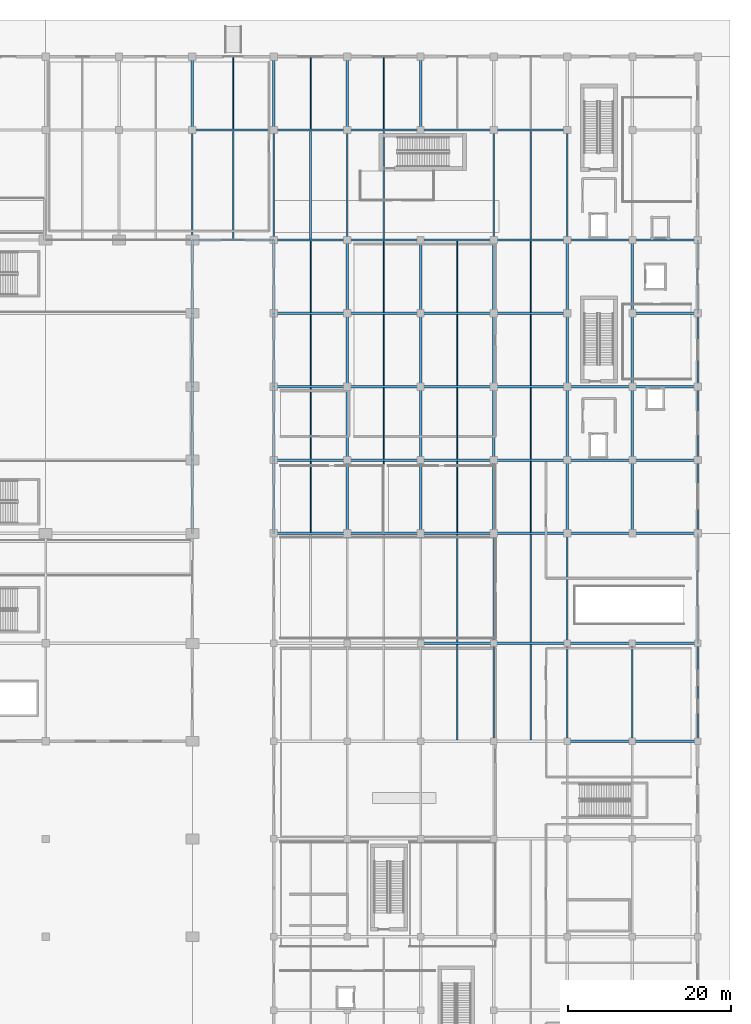
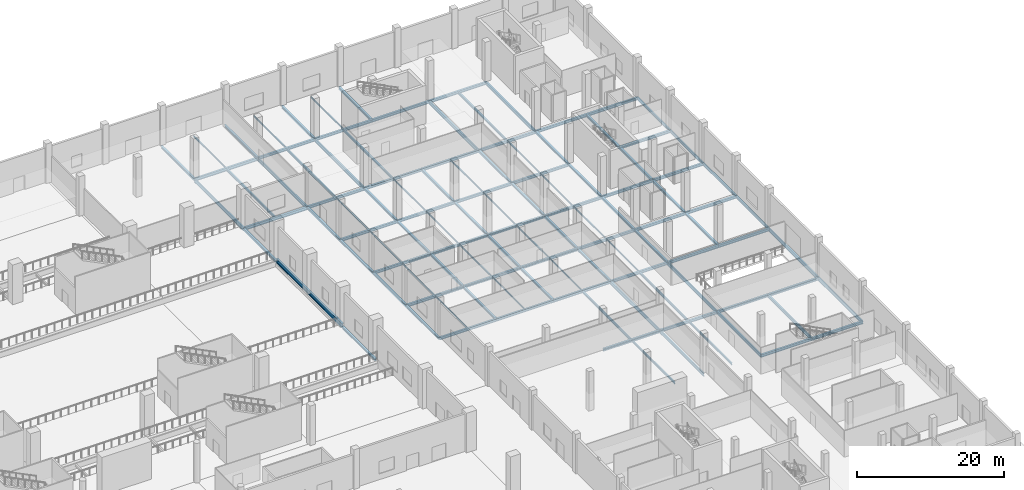
# One storey, part 10 of 65: 116 beams.
"""IFC4 building model written with IfcOpenShell, lengths in metres."""

from ifc_helpers import new_model, si_unit, direction, frame, origin, origin_2d, place, context, subcontext, project, spatial, i_section, extrude, material, material_profile, profile_set, type_object, element, save


model = new_model("IFC4")

# Units and contexts
model_context = context("Model", 3, precision=1e-05, world=origin(), true_north=direction((0.0, 1.0)))
body_context = subcontext(model_context, "Body", "Model", "MODEL_VIEW")
ifc_project = project(units=[si_unit("LENGTHUNIT", "METRE"), si_unit("AREAUNIT", "SQUARE_METRE"), si_unit("VOLUMEUNIT", "CUBIC_METRE"), si_unit("PLANEANGLEUNIT", "RADIAN"), si_unit("MASSUNIT", "GRAM", prefix="KILO")], contexts=[model_context])

# Site, building, storey
site_placement = place(None, origin())
site = spatial("IfcSite", under=ifc_project, at=site_placement, CompositionType="ELEMENT")
building_placement = place(site_placement, origin())
building = spatial("IfcBuilding", under=site, at=building_placement, Name="Chuanluo Vaults Station", CompositionType="ELEMENT")
storey_placement = place(building_placement, origin())
storey = spatial("IfcBuildingStorey", under=building, at=storey_placement, Name="L00", CompositionType="ELEMENT", Elevation=0.0)

# Beams
ifc_material_1 = material(Name="Steel Q355C", Category="steel")
ifc_material_profile_1 = material_profile(ifc_material_1, i_section(OverallWidth=0.300048828125, OverallDepth=0.389892578125, WebThickness=0.010009765625, FlangeThickness=0.01611328125, FilletRadius=0.02001953125, at=origin_2d()))
ifc_profile_set_1 = profile_set([ifc_material_profile_1], Name="Steel Q355C")
beam_type_1 = type_object("IfcBeamType", Name="BM-GRD-400", PredefinedType="BEAM", material=ifc_profile_set_1)
for number, where, z_axis, x_axis, name in (
    (1, (126.0, 67.5, -0.574951171875), (0.0, 1.0, 0.0), (-1.0, 0.0, 0.0), "Floor girder BM:GY:L00:0194"),
    (2, (126.0, 94.5, -0.574951171875), (0.0, 1.0, 0.0), (-1.0, 0.0, 0.0), "Floor girder BM:GY:L00:0195"),
    (3, (126.0, 117.0, -0.514892578125), (0.0, 1.0, 0.0), (-1.0, 0.0, 0.0), "Floor girder BM:GY:L00:0197"),
    (4, (136.0, 67.5, -0.4951171875), (0.0, 1.0, 0.0), (-1.0, 0.0, 0.0), "Floor girder BM:GY:L00:0204"),
    (5, (136.0, 76.5, -0.4951171875), (0.0, 1.0, 0.0), (-1.0, 0.0, 0.0), "Floor girder BM:GY:L00:0205"),
    (6, (136.0, 85.5, -0.4951171875), (0.0, 1.0, 0.0), (-1.0, 0.0, 0.0), "Floor girder BM:GY:L00:0206"),
    (7, (136.0, 94.5, -0.4951171875), (0.0, 1.0, 0.0), (-1.0, 0.0, 0.0), "Floor girder BM:GY:L00:0207"),
    (8, (136.0, 117.0, -0.514892578125), (0.0, 1.0, 0.0), (-1.0, 0.0, 0.0), "Floor girder BM:GY:L00:0209"),
    (9, (145.0, 67.5, -0.4951171875), (0.0, 1.0, 0.0), (-1.0, 0.0, 0.0), "Floor girder BM:GY:L00:0215"),
    (10, (145.0, 76.5, -0.4951171875), (0.0, 1.0, 0.0), (-1.0, 0.0, 0.0), "Floor girder BM:GY:L00:0216"),
    (11, (145.0, 85.5, -0.4951171875), (0.0, 1.0, 0.0), (-1.0, 0.0, 0.0), "Floor girder BM:GY:L00:0217"),
    (12, (145.0, 94.5, -0.4951171875), (0.0, 1.0, 0.0), (-1.0, 0.0, 0.0), "Floor girder BM:GY:L00:0218"),
    (13, (145.0, 117.0, -0.4951171875), (0.0, 1.0, 0.0), (-1.0, 0.0, 0.0), "Floor girder BM:GY:L00:0220"),
    (14, (154.0, 67.5, -0.4951171875), (0.0, 1.0, 0.0), (-1.0, 0.0, 0.0), "Floor girder BM:GY:L00:0227"),
    (15, (154.0, 76.5, -0.4951171875), (0.0, 1.0, 0.0), (-1.0, 0.0, 0.0), "Floor girder BM:GY:L00:0228"),
    (16, (154.0, 85.5, -0.4951171875), (0.0, 1.0, 0.0), (-1.0, 0.0, 0.0), "Floor girder BM:GY:L00:0229"),
    (17, (154.0, 94.5, -0.4951171875), (0.0, 1.0, 0.0), (-1.0, 0.0, 0.0), "Floor girder BM:GY:L00:0230"),
    (18, (154.0, 117.0, -0.4951171875), (0.0, 1.0, 0.0), (-1.0, 0.0, 0.0), "Floor girder BM:GY:L00:0231"),
    (19, (163.0, 67.5, -0.4951171875), (0.0, 1.0, 0.0), (-1.0, 0.0, 0.0), "Floor girder BM:GY:L00:0238"),
    (20, (163.0, 76.5, -0.4951171875), (0.0, 1.0, 0.0), (-1.0, 0.0, 0.0), "Floor girder BM:GY:L00:0239"),
    (21, (163.0, 85.5, -0.4951171875), (0.0, 1.0, 0.0), (-1.0, 0.0, 0.0), "Floor girder BM:GY:L00:0240"),
    (22, (163.0, 94.5, -0.4951171875), (0.0, 1.0, 0.0), (-1.0, 0.0, 0.0), "Floor girder BM:GY:L00:0241"),
    (23, (172.0, 67.5, -0.4951171875), (0.0, 1.0, 0.0), (-1.0, 0.0, 0.0), "Floor girder BM:GY:L00:0250"),
    (24, (172.0, 76.5, -0.4951171875), (0.0, 1.0, 0.0), (-1.0, 0.0, 0.0), "Floor girder BM:GY:L00:0251"),
    (25, (172.0, 85.5, -0.4951171875), (0.0, 1.0, 0.0), (-1.0, 0.0, 0.0), "Floor girder BM:GY:L00:0252"),
    (26, (172.0, 94.5, -0.4951171875), (0.0, 1.0, 0.0), (-1.0, 0.0, 0.0), "Floor girder BM:GY:L00:0253"),
    (27, (180.0, 67.5, -0.4951171875), (0.0, 1.0, 0.0), (-1.0, 0.0, 0.0), "Floor girder BM:GY:L00:0261"),
    (28, (180.0, 76.5, -0.4951171875), (0.0, 1.0, 0.0), (-1.0, 0.0, 0.0), "Floor girder BM:GY:L00:0262"),
    (29, (180.0, 85.5, -0.4951171875), (0.0, 1.0, 0.0), (-1.0, 0.0, 0.0), "Floor girder BM:GY:L00:0263"),
    (30, (180.0, 94.5, -0.4951171875), (0.0, 1.0, 0.0), (-1.0, 0.0, 0.0), "Floor girder BM:GY:L00:0264"),
):
    element("IfcBeam", number, at=place(storey_placement, frame(where, z_axis=z_axis, x_axis=x_axis)), inside=storey, type_object=beam_type_1, Name=name, PredefinedType="BEAM", context=body_context, shape_type="SweptSolid", body=[
        extrude(i_section(OverallWidth=0.300048828125, OverallDepth=0.389892578125, WebThickness=0.010009765625, FlangeThickness=0.01611328125, FilletRadius=0.02001953125, at=origin_2d()), origin(), (0.0, 0.0, 1.0), 9.0),
    ])
ifc_material_2 = material(Name="Steel Q355C", Category="steel")
ifc_material_profile_2 = material_profile(ifc_material_2, i_section(OverallWidth=0.300048828125, OverallDepth=0.43994140625, WebThickness=0.010986328125, FlangeThickness=0.01806640625, FilletRadius=0.02001953125, at=origin_2d()))
ifc_profile_set_2 = profile_set([ifc_material_profile_2], Name="Steel Q355C")
beam_type_2 = type_object("IfcBeamType", Name="BM-GRD-450", PredefinedType="USERDEFINED", material=ifc_profile_set_2)
for number, where, z_axis, x_axis, name in (
    (31, (172.0, 42.0, -0.52001953125), (1.0, 0.0, 0.0), (0.0, 1.0, 0.0), "Floor girder BM:GX:L00:0049"),
    (32, (180.0, 42.0, -0.52001953125), (1.0, 0.0, 0.0), (0.0, 1.0, 0.0), "Floor girder BM:GX:L00:0050"),
):
    element("IfcBeam", number, at=place(storey_placement, frame(where, z_axis=z_axis, x_axis=x_axis)), inside=storey, type_object=beam_type_2, Name=name, ObjectType="GIRDER", PredefinedType="USERDEFINED", context=body_context, shape_type="SweptSolid", body=[
        extrude(i_section(OverallWidth=0.300048828125, OverallDepth=0.43994140625, WebThickness=0.010986328125, FlangeThickness=0.01806640625, FilletRadius=0.02001953125, at=origin_2d()), origin(), (0.0, 0.0, 1.0), 8.0),
    ])
for number, where, z_axis, x_axis, name in (
    (33, (154.0, 54.0, -0.52001953125), (1.0, 0.0, 0.0), (0.0, 1.0, 0.0), "Floor girder BM:GX:L00:0060"),
    (34, (163.0, 54.0, -0.52001953125), (1.0, 0.0, 0.0), (0.0, 1.0, 0.0), "Floor girder BM:GX:L00:0061"),
):
    element("IfcBeam", number, at=place(storey_placement, frame(where, z_axis=z_axis, x_axis=x_axis)), inside=storey, type_object=beam_type_2, Name=name, ObjectType="GIRDER", PredefinedType="USERDEFINED", context=body_context, shape_type="SweptSolid", body=[
        extrude(i_section(OverallWidth=0.300048828125, OverallDepth=0.43994140625, WebThickness=0.010986328125, FlangeThickness=0.01806640625, FilletRadius=0.02001953125, at=origin_2d()), origin(), (0.0, 0.0, 1.0), 9.0),
    ])
for number, where, z_axis, x_axis, name in (
    (35, (172.0, 54.0, -0.52001953125), (1.0, 0.0, 0.0), (0.0, 1.0, 0.0), "Floor girder BM:GX:L00:0062"),
    (36, (180.0, 54.0, -0.52001953125), (1.0, 0.0, 0.0), (0.0, 1.0, 0.0), "Floor girder BM:GX:L00:0063"),
):
    element("IfcBeam", number, at=place(storey_placement, frame(where, z_axis=z_axis, x_axis=x_axis)), inside=storey, type_object=beam_type_2, Name=name, ObjectType="GIRDER", PredefinedType="USERDEFINED", context=body_context, shape_type="SweptSolid", body=[
        extrude(i_section(OverallWidth=0.300048828125, OverallDepth=0.43994140625, WebThickness=0.010986328125, FlangeThickness=0.01806640625, FilletRadius=0.02001953125, at=origin_2d()), origin(), (0.0, 0.0, 1.0), 8.0),
    ])
for number, where, z_axis, x_axis, name in (
    (37, (136.0, 67.5, -0.52001953125), (1.0, 0.0, 0.0), (0.0, 1.0, 0.0), "Floor girder BM:GX:L00:0071"),
    (38, (145.0, 67.5, -0.52001953125), (1.0, 0.0, 0.0), (0.0, 1.0, 0.0), "Floor girder BM:GX:L00:0072"),
    (39, (154.0, 67.5, -0.52001953125), (1.0, 0.0, 0.0), (0.0, 1.0, 0.0), "Floor girder BM:GX:L00:0073"),
    (40, (163.0, 67.5, -0.52001953125), (1.0, 0.0, 0.0), (0.0, 1.0, 0.0), "Floor girder BM:GX:L00:0074"),
):
    element("IfcBeam", number, at=place(storey_placement, frame(where, z_axis=z_axis, x_axis=x_axis)), inside=storey, type_object=beam_type_2, Name=name, ObjectType="GIRDER", PredefinedType="USERDEFINED", context=body_context, shape_type="SweptSolid", body=[
        extrude(i_section(OverallWidth=0.300048828125, OverallDepth=0.43994140625, WebThickness=0.010986328125, FlangeThickness=0.01806640625, FilletRadius=0.02001953125, at=origin_2d()), origin(), (0.0, 0.0, 1.0), 9.0),
    ])
for number, where, z_axis, x_axis, name in (
    (41, (172.0, 67.5, -0.52001953125), (1.0, 0.0, 0.0), (0.0, 1.0, 0.0), "Floor girder BM:GX:L00:0075"),
    (42, (180.0, 67.5, -0.52001953125), (1.0, 0.0, 0.0), (0.0, 1.0, 0.0), "Floor girder BM:GX:L00:0076"),
):
    element("IfcBeam", number, at=place(storey_placement, frame(where, z_axis=z_axis, x_axis=x_axis)), inside=storey, type_object=beam_type_2, Name=name, ObjectType="GIRDER", PredefinedType="USERDEFINED", context=body_context, shape_type="SweptSolid", body=[
        extrude(i_section(OverallWidth=0.300048828125, OverallDepth=0.43994140625, WebThickness=0.010986328125, FlangeThickness=0.01806640625, FilletRadius=0.02001953125, at=origin_2d()), origin(), (0.0, 0.0, 1.0), 8.0),
    ])
for number, where, z_axis, x_axis, name in (
    (43, (136.0, 76.5, -0.52001953125), (1.0, 0.0, 0.0), (0.0, 1.0, 0.0), "Floor girder BM:GX:L00:0077"),
    (44, (145.0, 76.5, -0.52001953125), (1.0, 0.0, 0.0), (0.0, 1.0, 0.0), "Floor girder BM:GX:L00:0078"),
    (45, (154.0, 76.5, -0.52001953125), (1.0, 0.0, 0.0), (0.0, 1.0, 0.0), "Floor girder BM:GX:L00:0079"),
    (46, (163.0, 76.5, -0.52001953125), (1.0, 0.0, 0.0), (0.0, 1.0, 0.0), "Floor girder BM:GX:L00:0080"),
):
    element("IfcBeam", number, at=place(storey_placement, frame(where, z_axis=z_axis, x_axis=x_axis)), inside=storey, type_object=beam_type_2, Name=name, ObjectType="GIRDER", PredefinedType="USERDEFINED", context=body_context, shape_type="SweptSolid", body=[
        extrude(i_section(OverallWidth=0.300048828125, OverallDepth=0.43994140625, WebThickness=0.010986328125, FlangeThickness=0.01806640625, FilletRadius=0.02001953125, at=origin_2d()), origin(), (0.0, 0.0, 1.0), 9.0),
    ])
for number, where, z_axis, x_axis, name in (
    (47, (172.0, 76.5, -0.52001953125), (1.0, 0.0, 0.0), (0.0, 1.0, 0.0), "Floor girder BM:GX:L00:0081"),
    (48, (180.0, 76.5, -0.52001953125), (1.0, 0.0, 0.0), (0.0, 1.0, 0.0), "Floor girder BM:GX:L00:0082"),
):
    element("IfcBeam", number, at=place(storey_placement, frame(where, z_axis=z_axis, x_axis=x_axis)), inside=storey, type_object=beam_type_2, Name=name, ObjectType="GIRDER", PredefinedType="USERDEFINED", context=body_context, shape_type="SweptSolid", body=[
        extrude(i_section(OverallWidth=0.300048828125, OverallDepth=0.43994140625, WebThickness=0.010986328125, FlangeThickness=0.01806640625, FilletRadius=0.02001953125, at=origin_2d()), origin(), (0.0, 0.0, 1.0), 8.0),
    ])
for number, where, z_axis, x_axis, name in (
    (49, (136.0, 85.5, -0.52001953125), (1.0, 0.0, 0.0), (0.0, 1.0, 0.0), "Floor girder BM:GX:L00:0083"),
    (50, (145.0, 85.5, -0.52001953125), (1.0, 0.0, 0.0), (0.0, 1.0, 0.0), "Floor girder BM:GX:L00:0084"),
    (51, (154.0, 85.5, -0.52001953125), (1.0, 0.0, 0.0), (0.0, 1.0, 0.0), "Floor girder BM:GX:L00:0085"),
    (52, (163.0, 85.5, -0.52001953125), (1.0, 0.0, 0.0), (0.0, 1.0, 0.0), "Floor girder BM:GX:L00:0086"),
):
    element("IfcBeam", number, at=place(storey_placement, frame(where, z_axis=z_axis, x_axis=x_axis)), inside=storey, type_object=beam_type_2, Name=name, ObjectType="GIRDER", PredefinedType="USERDEFINED", context=body_context, shape_type="SweptSolid", body=[
        extrude(i_section(OverallWidth=0.300048828125, OverallDepth=0.43994140625, WebThickness=0.010986328125, FlangeThickness=0.01806640625, FilletRadius=0.02001953125, at=origin_2d()), origin(), (0.0, 0.0, 1.0), 9.0),
    ])
for number, where, z_axis, x_axis, name in (
    (53, (172.0, 85.5, -0.52001953125), (1.0, 0.0, 0.0), (0.0, 1.0, 0.0), "Floor girder BM:GX:L00:0087"),
    (54, (180.0, 85.5, -0.52001953125), (1.0, 0.0, 0.0), (0.0, 1.0, 0.0), "Floor girder BM:GX:L00:0088"),
):
    element("IfcBeam", number, at=place(storey_placement, frame(where, z_axis=z_axis, x_axis=x_axis)), inside=storey, type_object=beam_type_2, Name=name, ObjectType="GIRDER", PredefinedType="USERDEFINED", context=body_context, shape_type="SweptSolid", body=[
        extrude(i_section(OverallWidth=0.300048828125, OverallDepth=0.43994140625, WebThickness=0.010986328125, FlangeThickness=0.01806640625, FilletRadius=0.02001953125, at=origin_2d()), origin(), (0.0, 0.0, 1.0), 8.0),
    ])
for number, where, z_axis, x_axis, name in (
    (55, (136.0, 94.5, -0.52001953125), (1.0, 0.0, 0.0), (0.0, 1.0, 0.0), "Floor girder BM:GX:L00:0089"),
    (56, (145.0, 94.5, -0.52001953125), (1.0, 0.0, 0.0), (0.0, 1.0, 0.0), "Floor girder BM:GX:L00:0090"),
    (57, (154.0, 94.5, -0.52001953125), (1.0, 0.0, 0.0), (0.0, 1.0, 0.0), "Floor girder BM:GX:L00:0091"),
    (58, (163.0, 94.5, -0.52001953125), (1.0, 0.0, 0.0), (0.0, 1.0, 0.0), "Floor girder BM:GX:L00:0092"),
):
    element("IfcBeam", number, at=place(storey_placement, frame(where, z_axis=z_axis, x_axis=x_axis)), inside=storey, type_object=beam_type_2, Name=name, ObjectType="GIRDER", PredefinedType="USERDEFINED", context=body_context, shape_type="SweptSolid", body=[
        extrude(i_section(OverallWidth=0.300048828125, OverallDepth=0.43994140625, WebThickness=0.010986328125, FlangeThickness=0.01806640625, FilletRadius=0.02001953125, at=origin_2d()), origin(), (0.0, 0.0, 1.0), 9.0),
    ])
beam_1_placement = place(storey_placement, frame((180.0, 94.5, -0.52001953125), z_axis=(1.0, 0.0, 0.0), x_axis=(0.0, 1.0, 0.0)))
element("IfcBeam", 59, at=beam_1_placement, inside=storey, type_object=beam_type_2, Name="Floor girder BM:GX:L00:0093", ObjectType="GIRDER", PredefinedType="USERDEFINED", context=body_context, shape_type="SweptSolid", body=[
    extrude(i_section(OverallWidth=0.300048828125, OverallDepth=0.43994140625, WebThickness=0.010986328125, FlangeThickness=0.01806640625, FilletRadius=0.02001953125, at=origin_2d()), origin(), (0.0, 0.0, 1.0), 8.0),
])
for number, where, z_axis, x_axis, name in (
    (60, (136.0, 103.5, -0.52001953125), (1.0, 0.0, 0.0), (0.0, 1.0, 0.0), "Floor girder BM:GX:L00:0103"),
    (61, (145.0, 103.5, -0.52001953125), (1.0, 0.0, 0.0), (0.0, 1.0, 0.0), "Floor girder BM:GX:L00:0104"),
    (62, (154.0, 103.5, -0.52001953125), (1.0, 0.0, 0.0), (0.0, 1.0, 0.0), "Floor girder BM:GX:L00:0105"),
    (63, (163.0, 103.5, -0.52001953125), (1.0, 0.0, 0.0), (0.0, 1.0, 0.0), "Floor girder BM:GX:L00:0106"),
):
    element("IfcBeam", number, at=place(storey_placement, frame(where, z_axis=z_axis, x_axis=x_axis)), inside=storey, type_object=beam_type_2, Name=name, ObjectType="GIRDER", PredefinedType="USERDEFINED", context=body_context, shape_type="SweptSolid", body=[
        extrude(i_section(OverallWidth=0.300048828125, OverallDepth=0.43994140625, WebThickness=0.010986328125, FlangeThickness=0.01806640625, FilletRadius=0.02001953125, at=origin_2d()), origin(), (0.0, 0.0, 1.0), 9.0),
    ])
for number, where, z_axis, x_axis, name in (
    (64, (172.0, 103.5, -0.52001953125), (1.0, 0.0, 0.0), (0.0, 1.0, 0.0), "Floor girder BM:GX:L00:0107"),
    (65, (180.0, 103.5, -0.52001953125), (1.0, 0.0, 0.0), (0.0, 1.0, 0.0), "Floor girder BM:GX:L00:0108"),
):
    element("IfcBeam", number, at=place(storey_placement, frame(where, z_axis=z_axis, x_axis=x_axis)), inside=storey, type_object=beam_type_2, Name=name, ObjectType="GIRDER", PredefinedType="USERDEFINED", context=body_context, shape_type="SweptSolid", body=[
        extrude(i_section(OverallWidth=0.300048828125, OverallDepth=0.43994140625, WebThickness=0.010986328125, FlangeThickness=0.01806640625, FilletRadius=0.02001953125, at=origin_2d()), origin(), (0.0, 0.0, 1.0), 8.0),
    ])
for number, where, z_axis, x_axis, name in (
    (66, (136.0, 117.0, -0.52001953125), (1.0, 0.0, 0.0), (0.0, 1.0, 0.0), "Floor girder BM:GX:L00:0118"),
    (67, (145.0, 117.0, -0.52001953125), (1.0, 0.0, 0.0), (0.0, 1.0, 0.0), "Floor girder BM:GX:L00:0119"),
    (68, (154.0, 117.0, -0.52001953125), (1.0, 0.0, 0.0), (0.0, 1.0, 0.0), "Floor girder BM:GX:L00:0120"),
    (69, (163.0, 117.0, -0.52001953125), (1.0, 0.0, 0.0), (0.0, 1.0, 0.0), "Floor girder BM:GX:L00:0121"),
):
    element("IfcBeam", number, at=place(storey_placement, frame(where, z_axis=z_axis, x_axis=x_axis)), inside=storey, type_object=beam_type_2, Name=name, ObjectType="GIRDER", PredefinedType="USERDEFINED", context=body_context, shape_type="SweptSolid", body=[
        extrude(i_section(OverallWidth=0.300048828125, OverallDepth=0.43994140625, WebThickness=0.010986328125, FlangeThickness=0.01806640625, FilletRadius=0.02001953125, at=origin_2d()), origin(), (0.0, 0.0, 1.0), 9.0),
    ])
ifc_material_3 = material(Name="Steel Q355C", Category="steel")
ifc_material_profile_3 = material_profile(ifc_material_3, i_section(OverallWidth=0.300048828125, OverallDepth=0.5, WebThickness=0.010986328125, FlangeThickness=0.01806640625, FilletRadius=0.02001953125, at=origin_2d()))
ifc_profile_set_3 = profile_set([ifc_material_profile_3], Name="Steel Q355C")
beam_type_3 = type_object("IfcBeamType", Name="BM-GRD-500", PredefinedType="USERDEFINED", material=ifc_profile_set_3)
for number, where, z_axis, x_axis, name in (
    (70, (126.0, 103.5, -0.570068359375), (1.0, 0.0, 0.0), (0.0, 1.0, 0.0), "Floor girder BM:GX:L00:0102"),
    (71, (126.0, 117.0, -0.570068359375), (1.0, 0.0, 0.0), (0.0, 1.0, 0.0), "Floor girder BM:GX:L00:0117"),
):
    element("IfcBeam", number, at=place(storey_placement, frame(where, z_axis=z_axis, x_axis=x_axis)), inside=storey, type_object=beam_type_3, Name=name, ObjectType="GIRDER", PredefinedType="USERDEFINED", context=body_context, shape_type="SweptSolid", body=[
        extrude(i_section(OverallWidth=0.300048828125, OverallDepth=0.5, WebThickness=0.010986328125, FlangeThickness=0.01806640625, FilletRadius=0.02001953125, at=origin_2d()), origin(), (0.0, 0.0, 1.0), 10.0),
    ])
ifc_material_4 = material(Name="Steel Q355C", Category="steel")
ifc_material_profile_4 = material_profile(ifc_material_4, i_section(OverallWidth=0.199951171875, OverallDepth=0.550048828125, WebThickness=0.010009765625, FlangeThickness=0.01611328125, FilletRadius=0.01806640625, at=origin_2d()))
ifc_profile_set_4 = profile_set([ifc_material_profile_4], Name="Steel Q355C")
beam_type_4 = type_object("IfcBeamType", Name="BM-GRD-550", PredefinedType="USERDEFINED", material=ifc_profile_set_4)
for number, where, z_axis, x_axis, name in (
    (72, (163.0, 42.0, -0.574951171875), (0.0, 1.0, 0.0), (-1.0, 0.0, 0.0), "Floor girder BM:GY:L00:0236"),
    (73, (172.0, 42.0, -0.574951171875), (0.0, 1.0, 0.0), (-1.0, 0.0, 0.0), "Floor girder BM:GY:L00:0248"),
    (74, (180.0, 42.0, -0.574951171875), (0.0, 1.0, 0.0), (-1.0, 0.0, 0.0), "Floor girder BM:GY:L00:0260"),
):
    element("IfcBeam", number, at=place(storey_placement, frame(where, z_axis=z_axis, x_axis=x_axis)), inside=storey, type_object=beam_type_4, Name=name, ObjectType="GIRDER", PredefinedType="USERDEFINED", context=body_context, shape_type="SweptSolid", body=[
        extrude(i_section(OverallWidth=0.199951171875, OverallDepth=0.550048828125, WebThickness=0.010009765625, FlangeThickness=0.01611328125, FilletRadius=0.01806640625, at=origin_2d()), origin(), (0.0, 0.0, 1.0), 12.0),
    ])
ifc_material_5 = material(Name="Steel Q355C", Category="steel")
ifc_material_profile_5 = material_profile(ifc_material_5, i_section(OverallWidth=0.199951171875, OverallDepth=0.60009765625, WebThickness=0.010986328125, FlangeThickness=0.01708984375, FilletRadius=0.01806640625, at=origin_2d()))
ifc_profile_set_5 = profile_set([ifc_material_profile_5], Name="Steel Q355C")
beam_type_5 = type_object("IfcBeamType", Name="BM-GRD-600", PredefinedType="USERDEFINED", material=ifc_profile_set_5)
for number, where, z_axis, x_axis, name in (
    (75, (126.0, 103.5, -0.6201171875), (0.0, 1.0, 0.0), (-1.0, 0.0, 0.0), "Floor girder BM:GY:L00:0196"),
    (76, (136.0, 103.5, -0.6201171875), (0.0, 1.0, 0.0), (-1.0, 0.0, 0.0), "Floor girder BM:GY:L00:0208"),
    (77, (145.0, 103.5, -0.60009765625), (0.0, 1.0, 0.0), (-1.0, 0.0, 0.0), "Floor girder BM:GY:L00:0219"),
    (78, (163.0, 54.0, -0.60009765625), (0.0, 1.0, 0.0), (-1.0, 0.0, 0.0), "Floor girder BM:GY:L00:0237"),
    (79, (163.0, 103.5, -0.60009765625), (0.0, 1.0, 0.0), (-1.0, 0.0, 0.0), "Floor girder BM:GY:L00:0242"),
    (80, (172.0, 54.0, -0.60009765625), (0.0, 1.0, 0.0), (-1.0, 0.0, 0.0), "Floor girder BM:GY:L00:0249"),
    (81, (172.0, 103.5, -0.60009765625), (0.0, 1.0, 0.0), (-1.0, 0.0, 0.0), "Floor girder BM:GY:L00:0254"),
):
    element("IfcBeam", number, at=place(storey_placement, frame(where, z_axis=z_axis, x_axis=x_axis)), inside=storey, type_object=beam_type_5, Name=name, ObjectType="GIRDER", PredefinedType="USERDEFINED", context=body_context, shape_type="SweptSolid", body=[
        extrude(i_section(OverallWidth=0.199951171875, OverallDepth=0.60009765625, WebThickness=0.010986328125, FlangeThickness=0.01708984375, FilletRadius=0.01806640625, at=origin_2d()), origin(), (0.0, 0.0, 1.0), 13.5),
    ])
ifc_material_6 = material(Name="Steel Q355C", Category="steel")
ifc_material_profile_6 = material_profile(ifc_material_6, i_section(OverallWidth=0.300048828125, OverallDepth=0.699951171875, WebThickness=0.012939453125, FlangeThickness=0.02392578125, FilletRadius=0.02197265625, at=origin_2d()))
ifc_profile_set_6 = profile_set([ifc_material_profile_6], Name="Steel Q355C")
beam_type_6 = type_object("IfcBeamType", Name="BM-GRD-700", PredefinedType="USERDEFINED", material=ifc_profile_set_6)
for number, where, z_axis, x_axis, name in (
    (82, (126.0, 76.5, -0.35009765625), (0.0, 1.0, 0.0), (-1.0, 0.0, 0.0), "Train-shed throat grade girder 084"),
    (83, (126.0, 85.5, -0.35009765625), (0.0, 1.0, 0.0), (-1.0, 0.0, 0.0), "Train-shed throat grade girder 085"),
):
    element("IfcBeam", number, at=place(storey_placement, frame(where, z_axis=z_axis, x_axis=x_axis)), inside=storey, type_object=beam_type_6, Name=name, ObjectType="GIRDER", PredefinedType="USERDEFINED", context=body_context, shape_type="SweptSolid", body=[
        extrude(i_section(OverallWidth=0.300048828125, OverallDepth=0.699951171875, WebThickness=0.012939453125, FlangeThickness=0.02392578125, FilletRadius=0.02197265625, at=origin_2d()), origin(), (0.0, 0.0, 1.0), 9.0),
    ])
ifc_material_7 = material(Name="Steel Q355C", Category="steel")
ifc_material_profile_7 = material_profile(ifc_material_7, i_section(OverallWidth=0.125, OverallDepth=0.25, WebThickness=0.006103515625, FlangeThickness=0.009033203125, FilletRadius=0.011962890625, at=origin_2d()))
ifc_profile_set_7 = profile_set([ifc_material_profile_7], Name="Steel Q355C")
beam_type_7 = type_object("IfcBeamType", Name="BM-SEC-250", PredefinedType="JOIST", material=ifc_profile_set_7)
beam_2_placement = place(storey_placement, frame((131.0, 117.155029296875, -0.445068359375), z_axis=(0.0, 1.0, 0.0), x_axis=(-1.0, 0.0, 0.0)))
element("IfcBeam", 84, at=beam_2_placement, inside=storey, type_object=beam_type_7, Name="Composite secondary joist 0063", PredefinedType="JOIST", context=body_context, shape_type="SweptSolid", body=[
    extrude(i_section(OverallWidth=0.125, OverallDepth=0.25, WebThickness=0.006103515625, FlangeThickness=0.009033203125, FilletRadius=0.011962890625, at=origin_2d()), origin(), (0.0, 0.0, 1.0), 8.737548828125),
])
for number, where, z_axis, x_axis, name in (
    (85, (140.5, 67.655029296875, -0.425048828125), (0.0, 1.0, 0.0), (-1.0, 0.0, 0.0), "Composite secondary joist 0069"),
    (86, (140.5, 76.655029296875, -0.425048828125), (0.0, 1.0, 0.0), (-1.0, 0.0, 0.0), "Composite secondary joist 0070"),
    (87, (140.5, 85.655029296875, -0.425048828125), (0.0, 1.0, 0.0), (-1.0, 0.0, 0.0), "Composite secondary joist 0071"),
    (88, (140.5, 94.655029296875, -0.425048828125), (0.0, 1.0, 0.0), (-1.0, 0.0, 0.0), "Composite secondary joist 0072"),
):
    element("IfcBeam", number, at=place(storey_placement, frame(where, z_axis=z_axis, x_axis=x_axis)), inside=storey, type_object=beam_type_7, Name=name, PredefinedType="JOIST", context=body_context, shape_type="SweptSolid", body=[
        extrude(i_section(OverallWidth=0.125, OverallDepth=0.25, WebThickness=0.006103515625, FlangeThickness=0.009033203125, FilletRadius=0.011962890625, at=origin_2d()), origin(), (0.0, 0.0, 1.0), 8.68994140625),
    ])
beam_3_placement = place(storey_placement, frame((140.5, 117.155029296875, -0.425048828125), z_axis=(0.0, 1.0, 0.0), x_axis=(-1.0, 0.0, 0.0)))
element("IfcBeam", 89, at=beam_3_placement, inside=storey, type_object=beam_type_7, Name="Composite secondary joist 0074", PredefinedType="JOIST", context=body_context, shape_type="SweptSolid", body=[
    extrude(i_section(OverallWidth=0.125, OverallDepth=0.25, WebThickness=0.006103515625, FlangeThickness=0.009033203125, FilletRadius=0.011962890625, at=origin_2d()), origin(), (0.0, 0.0, 1.0), 8.737548828125),
])
for number, where, z_axis, x_axis, name in (
    (90, (149.5, 67.655029296875, -0.425048828125), (0.0, 1.0, 0.0), (-1.0, 0.0, 0.0), "Composite secondary joist 0079"),
    (91, (149.5, 76.655029296875, -0.425048828125), (0.0, 1.0, 0.0), (-1.0, 0.0, 0.0), "Composite secondary joist 0080"),
    (92, (149.5, 85.655029296875, -0.425048828125), (0.0, 1.0, 0.0), (-1.0, 0.0, 0.0), "Composite secondary joist 0081"),
    (93, (149.5, 94.655029296875, -0.425048828125), (0.0, 1.0, 0.0), (-1.0, 0.0, 0.0), "Composite secondary joist 0082"),
):
    element("IfcBeam", number, at=place(storey_placement, frame(where, z_axis=z_axis, x_axis=x_axis)), inside=storey, type_object=beam_type_7, Name=name, PredefinedType="JOIST", context=body_context, shape_type="SweptSolid", body=[
        extrude(i_section(OverallWidth=0.125, OverallDepth=0.25, WebThickness=0.006103515625, FlangeThickness=0.009033203125, FilletRadius=0.011962890625, at=origin_2d()), origin(), (0.0, 0.0, 1.0), 8.68994140625),
    ])
beam_4_placement = place(storey_placement, frame((149.5, 117.155029296875, -0.425048828125), z_axis=(0.0, 1.0, 0.0), x_axis=(-1.0, 0.0, 0.0)))
element("IfcBeam", 94, at=beam_4_placement, inside=storey, type_object=beam_type_7, Name="Composite secondary joist 0084", PredefinedType="JOIST", context=body_context, shape_type="SweptSolid", body=[
    extrude(i_section(OverallWidth=0.125, OverallDepth=0.25, WebThickness=0.006103515625, FlangeThickness=0.009033203125, FilletRadius=0.011962890625, at=origin_2d()), origin(), (0.0, 0.0, 1.0), 8.737548828125),
])
for number, where, z_axis, x_axis, name in (
    (95, (158.5, 67.655029296875, -0.425048828125), (0.0, 1.0, 0.0), (-1.0, 0.0, 0.0), "Composite secondary joist 0088"),
    (96, (158.5, 76.655029296875, -0.425048828125), (0.0, 1.0, 0.0), (-1.0, 0.0, 0.0), "Composite secondary joist 0089"),
    (97, (158.5, 85.655029296875, -0.425048828125), (0.0, 1.0, 0.0), (-1.0, 0.0, 0.0), "Composite secondary joist 0090"),
    (98, (158.5, 94.655029296875, -0.425048828125), (0.0, 1.0, 0.0), (-1.0, 0.0, 0.0), "Composite secondary joist 0091"),
    (99, (167.5, 67.655029296875, -0.425048828125), (0.0, 1.0, 0.0), (-1.0, 0.0, 0.0), "Composite secondary joist 0098"),
    (100, (167.5, 76.655029296875, -0.425048828125), (0.0, 1.0, 0.0), (-1.0, 0.0, 0.0), "Composite secondary joist 0099"),
    (101, (167.5, 85.655029296875, -0.425048828125), (0.0, 1.0, 0.0), (-1.0, 0.0, 0.0), "Composite secondary joist 0100"),
    (102, (167.5, 94.655029296875, -0.425048828125), (0.0, 1.0, 0.0), (-1.0, 0.0, 0.0), "Composite secondary joist 0101"),
):
    element("IfcBeam", number, at=place(storey_placement, frame(where, z_axis=z_axis, x_axis=x_axis)), inside=storey, type_object=beam_type_7, Name=name, PredefinedType="JOIST", context=body_context, shape_type="SweptSolid", body=[
        extrude(i_section(OverallWidth=0.125, OverallDepth=0.25, WebThickness=0.006103515625, FlangeThickness=0.009033203125, FilletRadius=0.011962890625, at=origin_2d()), origin(), (0.0, 0.0, 1.0), 8.68994140625),
    ])
ifc_material_8 = material(Name="Steel Q355C", Category="steel")
ifc_material_profile_8 = material_profile(ifc_material_8, i_section(OverallWidth=0.175048828125, OverallDepth=0.35009765625, WebThickness=0.007080078125, FlangeThickness=0.010986328125, FilletRadius=0.013916015625, at=origin_2d()))
ifc_profile_set_8 = profile_set([ifc_material_profile_8], Name="Steel Q355C")
beam_type_8 = type_object("IfcBeamType", Name="BM-SEC-350", PredefinedType="JOIST", material=ifc_profile_set_8)
for number, where, z_axis, x_axis, name in (
    (103, (158.5, 42.155029296875, -0.47509765625), (0.0, 1.0, 0.0), (-1.0, 0.0, 0.0), "Composite secondary joist 0086"),
    (104, (167.5, 42.155029296875, -0.47509765625), (0.0, 1.0, 0.0), (-1.0, 0.0, 0.0), "Composite secondary joist 0096"),
):
    element("IfcBeam", number, at=place(storey_placement, frame(where, z_axis=z_axis, x_axis=x_axis)), inside=storey, type_object=beam_type_8, Name=name, PredefinedType="JOIST", context=body_context, shape_type="SweptSolid", body=[
        extrude(i_section(OverallWidth=0.175048828125, OverallDepth=0.35009765625, WebThickness=0.007080078125, FlangeThickness=0.010986328125, FilletRadius=0.013916015625, at=origin_2d()), origin(), (0.0, 0.0, 1.0), 11.68994140625),
    ])
ifc_material_9 = material(Name="Steel Q355C", Category="steel")
ifc_material_profile_9 = material_profile(ifc_material_9, i_section(OverallWidth=0.199951171875, OverallDepth=0.39990234375, WebThickness=0.008056640625, FlangeThickness=0.012939453125, FilletRadius=0.01611328125, at=origin_2d()))
ifc_profile_set_9 = profile_set([ifc_material_profile_9], Name="Steel Q355C")
beam_type_9 = type_object("IfcBeamType", Name="BM-SEC-400", PredefinedType="BEAM", material=ifc_profile_set_9)
for number, where, z_axis, x_axis, name in (
    (105, (131.0, 103.655029296875, -0.52001953125), (0.0, 1.0, 0.0), (-1.0, 0.0, 0.0), "Composite secondary joist 0062"),
    (106, (140.5, 103.655029296875, -0.5), (0.0, 1.0, 0.0), (-1.0, 0.0, 0.0), "Composite secondary joist 0073"),
    (107, (149.5, 103.655029296875, -0.5), (0.0, 1.0, 0.0), (-1.0, 0.0, 0.0), "Composite secondary joist 0083"),
    (108, (158.5, 54.155029296875, -0.5), (0.0, 1.0, 0.0), (-1.0, 0.0, 0.0), "Composite secondary joist 0087"),
    (109, (167.5, 54.155029296875, -0.5), (0.0, 1.0, 0.0), (-1.0, 0.0, 0.0), "Composite secondary joist 0097"),
    (110, (167.5, 103.655029296875, -0.5), (0.0, 1.0, 0.0), (-1.0, 0.0, 0.0), "Composite secondary joist 0102"),
):
    element("IfcBeam", number, at=place(storey_placement, frame(where, z_axis=z_axis, x_axis=x_axis)), inside=storey, type_object=beam_type_9, Name=name, PredefinedType="BEAM", context=body_context, shape_type="SweptSolid", body=[
        extrude(i_section(OverallWidth=0.199951171875, OverallDepth=0.39990234375, WebThickness=0.008056640625, FlangeThickness=0.012939453125, FilletRadius=0.01611328125, at=origin_2d()), origin(), (0.0, 0.0, 1.0), 13.18994140625),
    ])
ifc_material_10 = material(Name="Steel Q355C", Category="steel")
ifc_material_profile_10 = material_profile(ifc_material_10, i_section(OverallWidth=0.205078125, OverallDepth=0.4599609375, WebThickness=0.009033203125, FlangeThickness=0.013916015625, FilletRadius=0.01611328125, at=origin_2d()))
ifc_profile_set_10 = profile_set([ifc_material_profile_10], Name="Steel Q355C")
beam_type_10 = type_object("IfcBeamType", Name="BM-SPN-450", PredefinedType="SPANDREL", material=ifc_profile_set_10)
for number, where, z_axis, x_axis, name in (
    (111, (188.0, 67.5, -0.530029296875), (0.0, 1.0, 0.0), (-1.0, 0.0, 0.0), "Floor girder BM:GY:L00:0273"),
    (112, (188.0, 76.5, -0.530029296875), (0.0, 1.0, 0.0), (-1.0, 0.0, 0.0), "Floor girder BM:GY:L00:0274"),
    (113, (188.0, 85.5, -0.530029296875), (0.0, 1.0, 0.0), (-1.0, 0.0, 0.0), "Floor girder BM:GY:L00:0275"),
    (114, (188.0, 94.5, -0.530029296875), (0.0, 1.0, 0.0), (-1.0, 0.0, 0.0), "Floor girder BM:GY:L00:0276"),
):
    element("IfcBeam", number, at=place(storey_placement, frame(where, z_axis=z_axis, x_axis=x_axis)), inside=storey, type_object=beam_type_10, Name=name, PredefinedType="SPANDREL", context=body_context, shape_type="SweptSolid", body=[
        extrude(i_section(OverallWidth=0.205078125, OverallDepth=0.4599609375, WebThickness=0.009033203125, FlangeThickness=0.013916015625, FilletRadius=0.01611328125, at=origin_2d()), origin(), (0.0, 0.0, 1.0), 9.0),
    ])
ifc_material_11 = material(Name="Steel Q355C", Category="steel")
ifc_material_profile_11 = material_profile(ifc_material_11, i_section(OverallWidth=0.2099609375, OverallDepth=0.580078125, WebThickness=0.010986328125, FlangeThickness=0.01708984375, FilletRadius=0.01806640625, at=origin_2d()))
ifc_profile_set_11 = profile_set([ifc_material_profile_11], Name="Steel Q355C")
beam_type_11 = type_object("IfcBeamType", Name="BM-SPN-600", PredefinedType="SPANDREL", material=ifc_profile_set_11)
beam_5_placement = place(storey_placement, frame((188.0, 42.0, -0.590087890625), z_axis=(0.0, 1.0, 0.0), x_axis=(-1.0, 0.0, 0.0)))
element("IfcBeam", 115, at=beam_5_placement, inside=storey, type_object=beam_type_11, Name="Floor girder BM:GY:L00:0271", PredefinedType="SPANDREL", context=body_context, shape_type="SweptSolid", body=[
    extrude(i_section(OverallWidth=0.2099609375, OverallDepth=0.580078125, WebThickness=0.010986328125, FlangeThickness=0.01708984375, FilletRadius=0.01806640625, at=origin_2d()), origin(), (0.0, 0.0, 1.0), 12.0),
])
beam_6_placement = place(storey_placement, frame((188.0, 54.0, -0.590087890625), z_axis=(0.0, 1.0, 0.0), x_axis=(-1.0, 0.0, 0.0)))
element("IfcBeam", 116, at=beam_6_placement, inside=storey, type_object=beam_type_11, Name="Floor girder BM:GY:L00:0272", PredefinedType="SPANDREL", context=body_context, shape_type="SweptSolid", body=[
    extrude(i_section(OverallWidth=0.2099609375, OverallDepth=0.580078125, WebThickness=0.010986328125, FlangeThickness=0.01708984375, FilletRadius=0.01806640625, at=origin_2d()), origin(), (0.0, 0.0, 1.0), 13.5),
])

save(model, "model.ifc")
